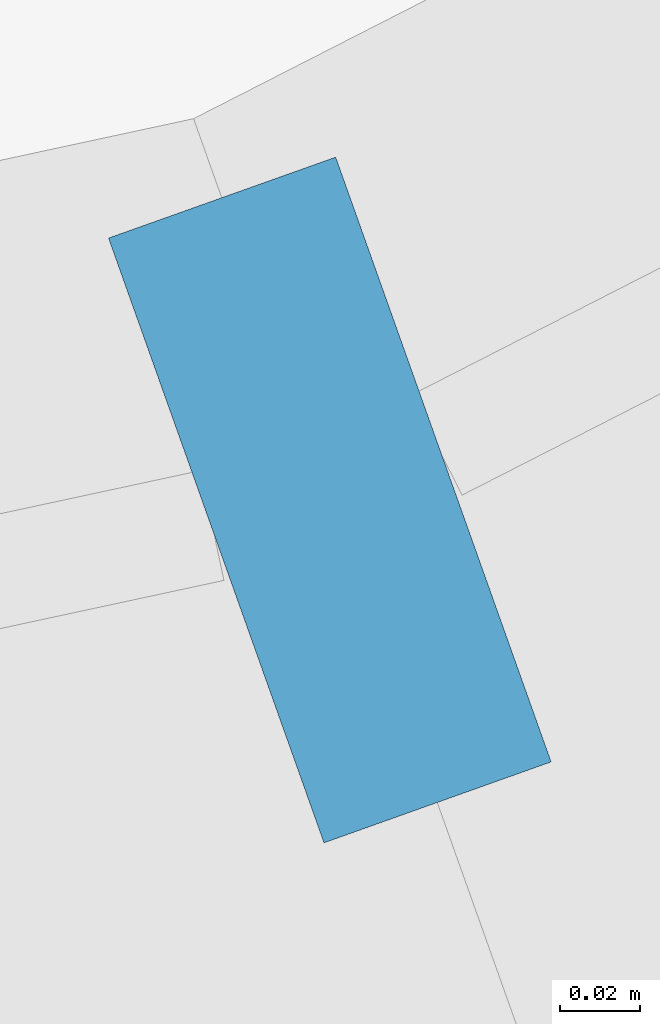
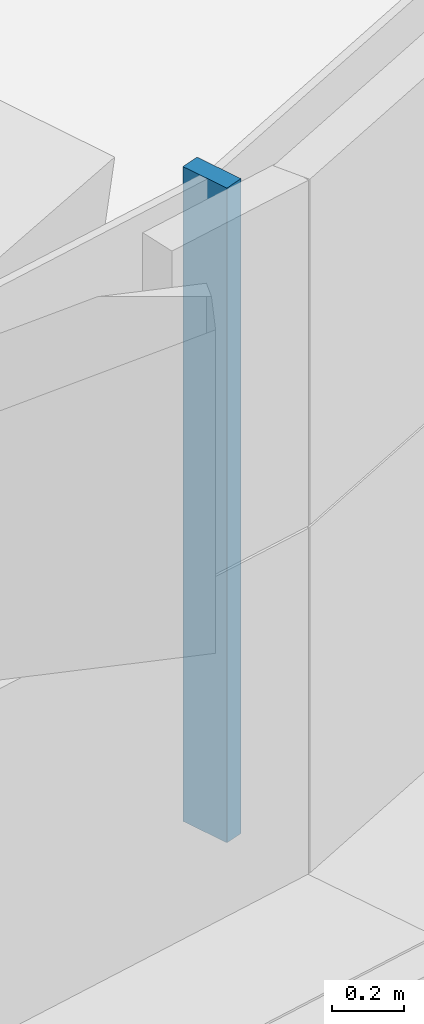
# One storey, part 2 of 37: 1 member, 1 element without a shape of its own.
"""IFC4 building model written with IfcOpenShell, lengths in metres."""

from ifc_helpers import new_model, si_unit, direction, frame, origin, origin_2d, place, context, subcontext, project, spatial, rectangle, extrude, material, layer, layer_set, material_profile, profile_set, type_object, element, aggregate, save


model = new_model("IFC4")

# Units and contexts
model_context = context("Model", 3, precision=1e-05, world=origin(), true_north=direction((0.0, 1.0)))
body_context = subcontext(model_context, "Body", "Model", "MODEL_VIEW")
ifc_project = project(units=[si_unit("LENGTHUNIT", "METRE"), si_unit("AREAUNIT", "SQUARE_METRE"), si_unit("VOLUMEUNIT", "CUBIC_METRE"), si_unit("PLANEANGLEUNIT", "RADIAN"), si_unit("MASSUNIT", "GRAM", prefix="KILO")], contexts=[model_context])

# Site, building, storey
site_placement = place(None, origin())
site = spatial("IfcSite", under=ifc_project, at=site_placement, CompositionType="ELEMENT")
building_placement = place(site_placement, origin())
building = spatial("IfcBuilding", under=site, at=building_placement, Name="Tamarind Cross Interchange Tower", CompositionType="ELEMENT")
storey_placement = place(building_placement, frame((0.0, 0.0, 133.0)))
storey = spatial("IfcBuildingStorey", under=building, at=storey_placement, Name="L32", CompositionType="ELEMENT", Elevation=133.0)

# Curtain wall, member
ifc_material = material(Name="Aluminium 6063-T6", Category="aluminium")
ifc_layer = layer(ifc_material, 0.159912109375)
ifc_layer_set = layer_set([ifc_layer], Name="Aluminium 6063-T6")
curtain_wall_type = type_object("IfcCurtainWallType", Name="Office curtain wall, 9.0 m bays", PredefinedType="NOTDEFINED", material=ifc_layer_set)
curtain_wall_placement = place(storey_placement, origin())
curtain_wall = element("IfcCurtainWall", 1, at=curtain_wall_placement, inside=storey, type_object=curtain_wall_type, Name="CWS-L32-01", PredefinedType="NOTDEFINED")
ifc_material_profile = material_profile(ifc_material, rectangle(XDim=0.06005859375, YDim=0.159912109375, at=origin_2d()), Name="Mullion CW1")
ifc_profile_set = profile_set([ifc_material_profile], Name="Aluminium 6063-T6")
member_type = type_object("IfcMemberType", Name="Mullion CW1", PredefinedType="MULLION", material=ifc_profile_set)
member_placement = place(storey_placement, frame((-41.49853515625, -17.64892578125, 1.39990234375), z_axis=(0.0, 0.0, 1.0), x_axis=(0.94199930398, 0.335614825807, 0.0)))
member = element("IfcMember", 2, at=member_placement, type_object=member_type, Name="CWM-L32-01-00", PredefinedType="MULLION", context=body_context, shape_type="SweptSolid", body=[
    extrude(rectangle(XDim=0.06005859375, YDim=0.159912109375, at=origin_2d()), origin(), (0.0, 0.0, 1.0), 2.210205078125),
])
aggregate(curtain_wall, [member])

save(model, "model.ifc")
